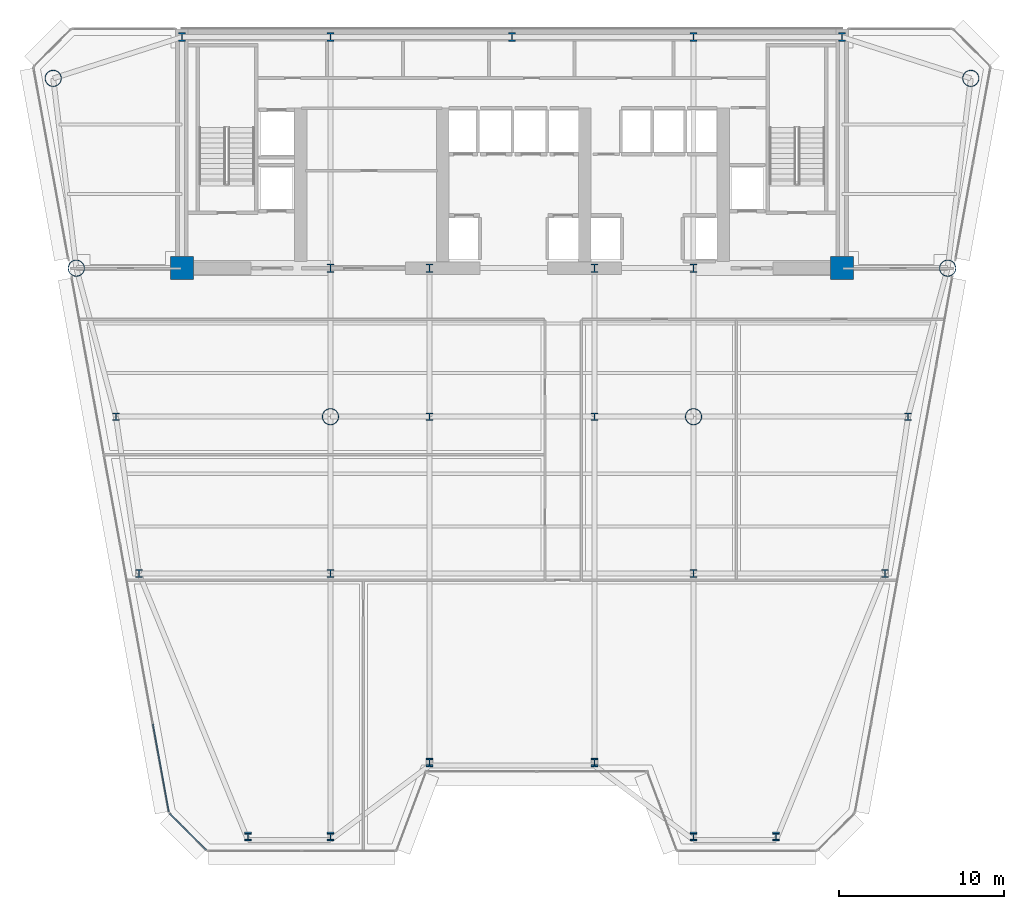
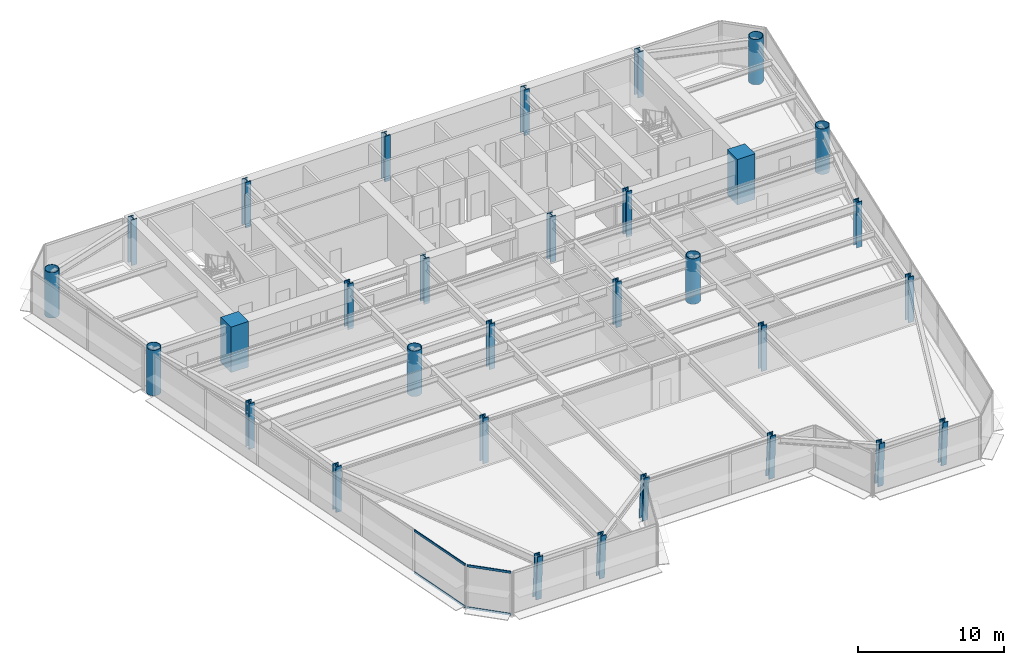
# One storey, part 1 of 14: 31 columns, 4 members, 2 elements without a shape of their own.
"""IFC4 building model written with IfcOpenShell, lengths in metres."""

from ifc_helpers import new_model, si_unit, direction, frame, origin, origin_2d, place, context, subcontext, project, spatial, rectangle, hollow_circle, i_section, extrude, source, transform, mapped, material, layer, layer_set, material_profile, profile_set, type_object, element, aggregate, save


model = new_model("IFC4")

# Units and contexts
model_context = context("Model", 3, precision=1e-05, world=origin(), true_north=direction((0.0, 1.0)))
body_context = subcontext(model_context, "Body", "Model", "MODEL_VIEW")
ifc_project = project(units=[si_unit("LENGTHUNIT", "METRE"), si_unit("AREAUNIT", "SQUARE_METRE"), si_unit("VOLUMEUNIT", "CUBIC_METRE"), si_unit("PLANEANGLEUNIT", "RADIAN"), si_unit("MASSUNIT", "GRAM", prefix="KILO")], contexts=[model_context])

# Site, building, storey
site_placement = place(None, origin())
site = spatial("IfcSite", under=ifc_project, at=site_placement, CompositionType="ELEMENT")
building_placement = place(site_placement, origin())
building = spatial("IfcBuilding", under=site, at=building_placement, Name="Vaeldorn Concourse Tower", CompositionType="ELEMENT")
storey_placement = place(building_placement, frame((0.0, 0.0, 126.199951171875)))
storey = spatial("IfcBuildingStorey", under=building, at=storey_placement, Name="L32", CompositionType="ELEMENT", Elevation=126.199951171875)

# Columns
ifc_material_1 = material(Name="Concrete C60/75", Category="concrete")
ifc_material_profile_1 = material_profile(ifc_material_1, rectangle(XDim=1.39990234375, YDim=1.39990234375, at=origin_2d()), Name="RC 1400x1400")
ifc_profile_set_1 = profile_set([ifc_material_profile_1], Name="Concrete C60/75")
column_type_1 = type_object("IfcColumnType", Name="COL-RC1400", PredefinedType="COLUMN", material=ifc_profile_set_1)
shared_shape_1 = source(origin(), body_context, "Body", "SweptSolid", [
    extrude(rectangle(XDim=1.39990234375, YDim=1.39990234375, at=origin_2d()), origin(), (0.0, 0.0, 1.0), 3.800048828125),
])
for number, where, z_axis, x_axis, name in (
    (1, (14.0, 36.5, 0.0), (0.0, 0.0, 1.0), (1.0, 0.0, 0.0), "Column C-FC1 L32"),
    (2, (54.0, 36.5, 0.0), (0.0, 0.0, 1.0), (1.0, 0.0, 0.0), "Column C-FC6 L32"),
):
    element("IfcColumn", number, at=place(storey_placement, frame(where, z_axis=z_axis, x_axis=x_axis)), inside=storey, type_object=column_type_1, Name=name, PredefinedType="COLUMN", context=body_context, shape_type="MappedRepresentation", body=[
        mapped(shared_shape_1, transform((0.0, 0.0, 0.0), scale=1.0)),
    ])
ifc_material_2 = material(Name="Steel S460", Category="steel")
ifc_material_profile_2 = material_profile(ifc_material_2, i_section(OverallWidth=0.44189453125, OverallDepth=0.531005859375, WebThickness=0.06494140625, FlangeThickness=0.075927734375, FilletRadius=0.014892578125, at=origin_2d()), Name="HD 400x900")
ifc_profile_set_2 = profile_set([ifc_material_profile_2], Name="Steel S460")
column_type_2 = type_object("IfcColumnType", Name="COL-HD900", PredefinedType="COLUMN", material=ifc_profile_set_2)
shared_shape_2 = source(origin(), body_context, "Body", "SweptSolid", [
    extrude(i_section(OverallWidth=0.44189453125, OverallDepth=0.531005859375, WebThickness=0.06494140625, FlangeThickness=0.075927734375, FilletRadius=0.014892578125, at=origin_2d()), origin(), (0.0, 0.0, 1.0), 3.800048828125),
])
for number, where, z_axis, x_axis, name in (
    (3, (23.0, 36.5, 0.0), (0.0, 0.0, 1.0), (1.0, 0.0, 0.0), "Column C-FC2 L32"),
    (4, (29.0, 36.5, 0.0), (0.0, 0.0, 1.0), (1.0, 0.0, 0.0), "Column C-FC3 L32"),
    (5, (39.0, 36.5, 0.0), (0.0, 0.0, 1.0), (1.0, 0.0, 0.0), "Column C-FC4 L32"),
    (6, (45.0, 36.5, 0.0), (0.0, 0.0, 1.0), (1.0, 0.0, 0.0), "Column C-FC5 L32"),
    (7, (14.0, 50.5, 0.0), (0.0, 0.0, 1.0), (1.0, 0.0, 0.0), "Column C-HC1 L32"),
    (8, (23.0, 50.5, 0.0), (0.0, 0.0, 1.0), (1.0, 0.0, 0.0), "Column C-HC2 L32"),
    (9, (34.0, 50.5, 0.0), (0.0, 0.0, 1.0), (1.0, 0.0, 0.0), "Column C-HC3 L32"),
    (10, (45.0, 50.5, 0.0), (0.0, 0.0, 1.0), (1.0, 0.0, 0.0), "Column C-HC4 L32"),
    (11, (54.0, 50.5, 0.0), (0.0, 0.0, 1.0), (1.0, 0.0, 0.0), "Column C-HC5 L32"),
):
    element("IfcColumn", number, at=place(storey_placement, frame(where, z_axis=z_axis, x_axis=x_axis)), inside=storey, type_object=column_type_2, Name=name, PredefinedType="COLUMN", context=body_context, shape_type="MappedRepresentation", body=[
        mapped(shared_shape_2, transform((0.0, 0.0, 0.0), scale=1.0)),
    ])
ifc_material_profile_3 = material_profile(ifc_material_2, hollow_circle(Radius=0.508056640625, WallThickness=0.044921875, at=origin_2d()), Name="CHS 1016x45")
ifc_profile_set_3 = profile_set([ifc_material_profile_3], Name="Steel S460")
column_type_3 = type_object("IfcColumnType", Name="COL-CHS1016", PredefinedType="COLUMN", material=ifc_profile_set_3)
shared_shape_3 = source(origin(), body_context, "Body", "SweptSolid", [
    extrude(hollow_circle(Radius=0.508056640625, WallThickness=0.044921875, at=origin_2d()), origin(), (0.0, 0.0, 1.0), 3.800048828125),
])
for number, where, z_axis, x_axis, name in (
    (12, (6.199951171875, 48.0, 0.0), (0.0, 0.0, 1.0), (1.0, 0.0, 0.0), "Column C-NW1 L32"),
    (13, (7.60009765625, 36.5, 0.0), (0.0, 0.0, 1.0), (1.0, 0.0, 0.0), "Column C-NW2 L32"),
    (14, (61.800048828125, 48.0, 0.0), (0.0, 0.0, 1.0), (1.0, 0.0, 0.0), "Column C-NE1 L32"),
    (15, (60.39990234375, 36.5, 0.0), (0.0, 0.0, 1.0), (1.0, 0.0, 0.0), "Column C-NE2 L32"),
    (16, (23.0, 27.5, 0.0), (0.0, 0.0, 1.0), (1.0, 0.0, 0.0), "Column C-TW1 L32"),
    (17, (45.0, 27.5, 0.0), (0.0, 0.0, 1.0), (1.0, 0.0, 0.0), "Column C-TW4 L32"),
):
    element("IfcColumn", number, at=place(storey_placement, frame(where, z_axis=z_axis, x_axis=x_axis)), inside=storey, type_object=column_type_3, Name=name, PredefinedType="COLUMN", context=body_context, shape_type="MappedRepresentation", body=[
        mapped(shared_shape_3, transform((0.0, 0.0, 0.0), scale=1.0)),
    ])
ifc_material_profile_4 = material_profile(ifc_material_2, i_section(OverallWidth=0.424072265625, OverallDepth=0.47412109375, WebThickness=0.047119140625, FlangeThickness=0.06494140625, FilletRadius=0.014892578125, at=origin_2d()), Name="HD 400x634")
ifc_profile_set_4 = profile_set([ifc_material_profile_4], Name="Steel S460")
column_type_4 = type_object("IfcColumnType", Name="COL-HD634F", PredefinedType="COLUMN", material=ifc_profile_set_4)
shared_shape_4 = source(origin(), body_context, "Body", "SweptSolid", [
    extrude(i_section(OverallWidth=0.424072265625, OverallDepth=0.47412109375, WebThickness=0.047119140625, FlangeThickness=0.06494140625, FilletRadius=0.014892578125, at=origin_2d()), origin(), (0.0, 0.0, 1.0), 3.800048828125),
])
for number, where, z_axis, x_axis, name in (
    (18, (10.0, 27.5, 0.0), (0.0, 0.0, 1.0), (1.0, 0.0, 0.0), "Column C-FLW1 L32"),
    (19, (11.39990234375, 18.0, 0.0), (0.0, 0.0, 1.0), (1.0, 0.0, 0.0), "Column C-FLW2 L32"),
    (20, (58.0, 27.5, 0.0), (0.0, 0.0, 1.0), (1.0, 0.0, 0.0), "Column C-FLE1 L32"),
    (21, (56.60009765625, 18.0, 0.0), (0.0, 0.0, 1.0), (1.0, 0.0, 0.0), "Column C-FLE2 L32"),
):
    element("IfcColumn", number, at=place(storey_placement, frame(where, z_axis=z_axis, x_axis=x_axis)), inside=storey, type_object=column_type_4, Name=name, PredefinedType="COLUMN", context=body_context, shape_type="MappedRepresentation", body=[
        mapped(shared_shape_4, transform((0.0, 0.0, 0.0), scale=1.0)),
    ])
ifc_material_profile_5 = material_profile(ifc_material_2, i_section(OverallWidth=0.424072265625, OverallDepth=0.47412109375, WebThickness=0.047119140625, FlangeThickness=0.06494140625, FilletRadius=0.014892578125, at=origin_2d()), Name="HD 400x634")
ifc_profile_set_5 = profile_set([ifc_material_profile_5], Name="Steel S460")
column_type_5 = type_object("IfcColumnType", Name="COL-HD634T", PredefinedType="COLUMN", material=ifc_profile_set_5)
shared_shape_5 = source(origin(), body_context, "Body", "SweptSolid", [
    extrude(i_section(OverallWidth=0.424072265625, OverallDepth=0.47412109375, WebThickness=0.047119140625, FlangeThickness=0.06494140625, FilletRadius=0.014892578125, at=origin_2d()), origin(), (0.0, 0.0, 1.0), 3.800048828125),
])
for number, where, z_axis, x_axis, name in (
    (22, (29.0, 27.5, 0.0), (0.0, 0.0, 1.0), (1.0, 0.0, 0.0), "Column C-TW2 L32"),
    (23, (39.0, 27.5, 0.0), (0.0, 0.0, 1.0), (1.0, 0.0, 0.0), "Column C-TW3 L32"),
    (24, (23.0, 18.0, 0.0), (0.0, 0.0, 1.0), (1.0, 0.0, 0.0), "Column C-TW5 L32"),
    (25, (45.0, 18.0, 0.0), (0.0, 0.0, 1.0), (1.0, 0.0, 0.0), "Column C-TW6 L32"),
):
    element("IfcColumn", number, at=place(storey_placement, frame(where, z_axis=z_axis, x_axis=x_axis)), inside=storey, type_object=column_type_5, Name=name, PredefinedType="COLUMN", context=body_context, shape_type="MappedRepresentation", body=[
        mapped(shared_shape_5, transform((0.0, 0.0, 0.0), scale=1.0)),
    ])
shared_shape_6 = source(origin(), body_context, "Body", "SweptSolid", [
    extrude(i_section(OverallWidth=0.424072265625, OverallDepth=0.47412109375, WebThickness=0.047119140625, FlangeThickness=0.06494140625, FilletRadius=0.014892578125, at=origin_2d()), origin(), (0.0, 0.0, 1.0), 3.74365234375),
])
for number, where, z_axis, x_axis, name in (
    (26, (18.0, 2.095458984375, 0.031982421875), (0.0, -0.063908817043, 0.997955742057), (1.0, 0.0, 0.0), "Column C-SF1 L32"),
    (27, (23.0, 2.095458984375, 0.031982421875), (0.0, -0.063908817043, 0.997955742057), (1.0, 0.0, 0.0), "Column C-SF2 L32"),
    (28, (29.0, 6.595458984375, 0.031982421875), (0.0, -0.063908817043, 0.997955742057), (1.0, 0.0, 0.0), "Column C-SF3 L32"),
    (29, (39.0, 6.595458984375, 0.031982421875), (0.0, -0.063908817043, 0.997955742057), (1.0, 0.0, 0.0), "Column C-SF4 L32"),
    (30, (45.0, 2.095458984375, 0.031982421875), (0.0, -0.063908817043, 0.997955742057), (1.0, 0.0, 0.0), "Column C-SF5 L32"),
    (31, (50.0, 2.095458984375, 0.031982421875), (0.0, -0.063908817043, 0.997955742057), (1.0, 0.0, 0.0), "Column C-SF6 L32"),
):
    element("IfcColumn", number, at=place(storey_placement, frame(where, z_axis=z_axis, x_axis=x_axis)), inside=storey, type_object=column_type_5, Name=name, PredefinedType="COLUMN", context=body_context, shape_type="MappedRepresentation", body=[
        mapped(shared_shape_6, transform((0.0, 0.0, 0.0), scale=1.0)),
    ])

# Curtain wall, members
ifc_material_3 = material(Name="Anodised Bronze Aluminium", Category="aluminium")
ifc_layer = layer(ifc_material_3, 0.199951171875)
ifc_layer_set = layer_set([ifc_layer], Name="Anodised Bronze Aluminium")
curtain_wall_type = type_object("IfcCurtainWallType", Name="CW-SYS-02", PredefinedType="NOTDEFINED", material=ifc_layer_set)
curtain_wall_1_placement = place(storey_placement, origin())
curtain_wall_1 = element("IfcCurtainWall", 32, at=curtain_wall_1_placement, inside=storey, type_object=curtain_wall_type, Name="Unitised Curtain Wall CW-L32-E12-1", PredefinedType="NOTDEFINED")
ifc_material_profile_6 = material_profile(ifc_material_3, rectangle(XDim=0.074951171875, YDim=0.179931640625, at=origin_2d()), Name="CWT 75x180")
ifc_profile_set_6 = profile_set([ifc_material_profile_6], Name="Anodised Bronze Aluminium")
member_type = type_object("IfcMemberType", Name="CWT-BRONZE-180", PredefinedType="USERDEFINED", material=ifc_profile_set_6)
shared_shape_7 = source(origin(), body_context, "Body", "SweptSolid", [
    extrude(rectangle(XDim=0.074951171875, YDim=0.179931640625, at=origin_2d()), origin(), (0.0, 0.0, 1.0), 3.102783203125),
])
member_1_placement = place(storey_placement, frame((13.270751953125, 3.4423828125, 0.03759765625), z_axis=(0.707146122816, -0.707067437368, 0.0), x_axis=(0.707067437368, 0.707146122816, 0.0)))
member_1 = element("IfcMember", 33, at=member_1_placement, type_object=member_type, Name="CW-02 transom 1.1", ObjectType="TRANSOM", PredefinedType="USERDEFINED", context=body_context, shape_type="MappedRepresentation", body=[
    mapped(shared_shape_7, transform((0.0, 0.0, 0.0), scale=1.0)),
])
member_2_placement = place(storey_placement, frame((13.270751953125, 3.4423828125, 3.54248046875), z_axis=(0.707146122816, -0.707067437368, 0.0), x_axis=(0.707067437368, 0.707146122816, 0.0)))
member_2 = element("IfcMember", 34, at=member_2_placement, type_object=member_type, Name="CW-02 transom 1.2", ObjectType="TRANSOM", PredefinedType="USERDEFINED", context=body_context, shape_type="MappedRepresentation", body=[
    mapped(shared_shape_7, transform((0.0, 0.0, 0.0), scale=1.0)),
])
aggregate(curtain_wall_1, [member_1, member_2])

curtain_wall_2_placement = place(storey_placement, origin())
curtain_wall_2 = element("IfcCurtainWall", 35, at=curtain_wall_2_placement, inside=storey, type_object=curtain_wall_type, Name="Unitised Curtain Wall CW-L32-E11-2", PredefinedType="NOTDEFINED")
shared_shape_8 = source(origin(), body_context, "Body", "SweptSolid", [
    extrude(rectangle(XDim=0.074951171875, YDim=0.179931640625, at=origin_2d()), origin(), (0.0, 0.0, 1.0), 5.390869140625),
])
member_3_placement = place(storey_placement, frame((12.240234375, 8.873046875, 0.03759765625), z_axis=(0.178841599413, -0.983877879779, 0.0), x_axis=(0.983877879779, 0.178841599413, 0.0)))
member_3 = element("IfcMember", 36, at=member_3_placement, type_object=member_type, Name="CW-02 transom 6.1", ObjectType="TRANSOM", PredefinedType="USERDEFINED", context=body_context, shape_type="MappedRepresentation", body=[
    mapped(shared_shape_8, transform((0.0, 0.0, 0.0), scale=1.0)),
])
member_4_placement = place(storey_placement, frame((12.240234375, 8.873046875, 3.54248046875), z_axis=(0.178841599413, -0.983877879779, 0.0), x_axis=(0.983877879779, 0.178841599413, 0.0)))
member_4 = element("IfcMember", 37, at=member_4_placement, type_object=member_type, Name="CW-02 transom 6.2", ObjectType="TRANSOM", PredefinedType="USERDEFINED", context=body_context, shape_type="MappedRepresentation", body=[
    mapped(shared_shape_8, transform((0.0, 0.0, 0.0), scale=1.0)),
])
aggregate(curtain_wall_2, [member_3, member_4])

save(model, "model.ifc")
